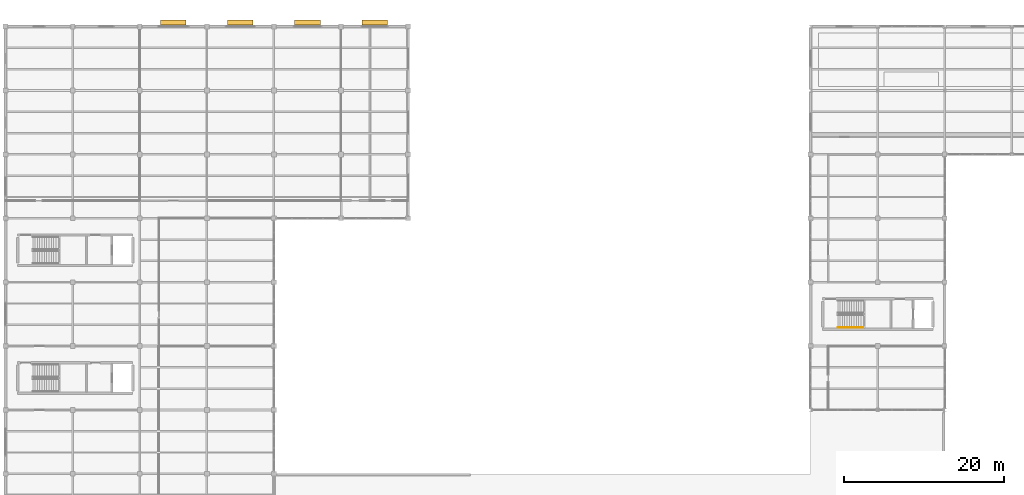
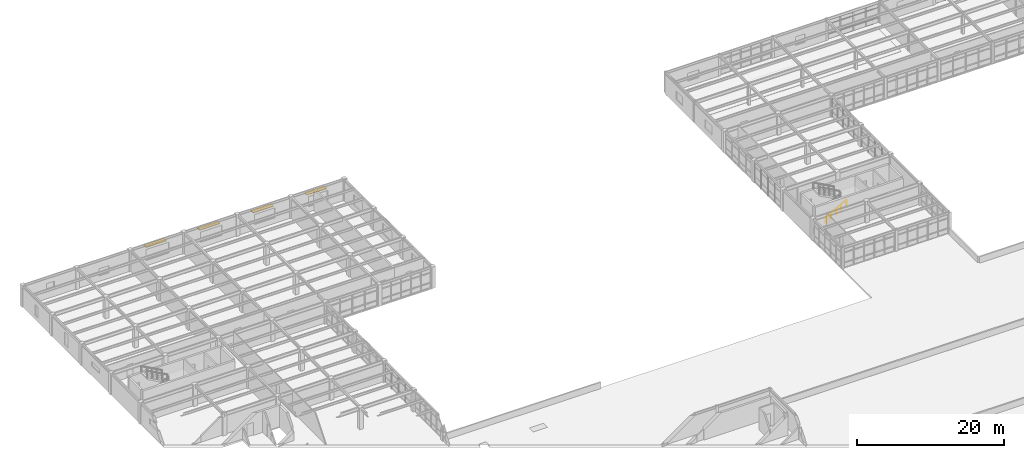
# One storey, part 92 of 96: 4 shading devices, 1 railing.
"""IFC4 building model written with IfcOpenShell, lengths in metres."""

from ifc_helpers import new_model, si_unit, direction, frame, origin, origin_2d, place, context, subcontext, project, spatial, rectangle, circle, extrude, material, type_object, element, save


model = new_model("IFC4")

# Units and contexts
model_context = context("Model", 3, precision=1e-05, world=origin(), true_north=direction((0.0, 1.0)))
body_context = subcontext(model_context, "Body", "Model", "MODEL_VIEW")
ifc_project = project(units=[si_unit("LENGTHUNIT", "METRE"), si_unit("AREAUNIT", "SQUARE_METRE"), si_unit("VOLUMEUNIT", "CUBIC_METRE"), si_unit("PLANEANGLEUNIT", "RADIAN"), si_unit("MASSUNIT", "GRAM", prefix="KILO")], contexts=[model_context])

# Site, building, storey
site_placement = place(None, origin())
site = spatial("IfcSite", under=ifc_project, at=site_placement, CompositionType="ELEMENT")
building_placement = place(site_placement, origin())
building = spatial("IfcBuilding", under=site, at=building_placement, Name="Kranzveld Transit Interchange", CompositionType="ELEMENT")
storey_placement = place(building_placement, frame((0.0, 0.0, 9.52001953125)))
storey = spatial("IfcBuildingStorey", under=building, at=storey_placement, Name="L02", CompositionType="ELEMENT", Elevation=9.52001953125)

# Shading devices
ifc_material_1 = material(Name="Bronze-anodised thermally broken aluminium", Category="aluminium")
shading_device_type = type_object("IfcShadingDeviceType", Name="North Overhang Solar Louvre Brise-Soleil", PredefinedType="JALOUSIE", material=ifc_material_1)
for number, where, z_axis, x_axis, name in (
    (1, (37.800048828125, 112.5048828125, 2.5498046875), (0.0, 0.0, 1.0), (1.0, 0.0, 0.0), "L02 North Solar Louvre 05/Q"),
    (2, (46.199951171875, 112.5048828125, 2.5498046875), (0.0, 0.0, 1.0), (1.0, 0.0, 0.0), "L02 North Solar Louvre 06/Q"),
    (3, (21.0, 112.5048828125, 2.699951171875), (0.0, 0.0, 1.0), (1.0, 0.0, 0.0), "L02 North Solar Louvre 03/Q"),
    (4, (29.39990234375, 112.5048828125, 2.599853515625), (0.0, 0.0, 1.0), (1.0, 0.0, 0.0), "L02 North Solar Louvre 04/Q"),
):
    element("IfcShadingDevice", number, at=place(storey_placement, frame(where, z_axis=z_axis, x_axis=x_axis)), inside=storey, type_object=shading_device_type, Name=name, PredefinedType="JALOUSIE", context=body_context, shape_type="SweptSolid", body=[
        extrude(rectangle(XDim=3.199951171875, YDim=0.64990234375, at=origin_2d()), origin(), (0.0, 0.0, 1.0), 0.1201171875),
    ])

# Railing
ifc_material_2 = material(Name="Steel S355JR", Category="steel")
railing_type = type_object("IfcRailingType", Name="Stair & Ramp Handrail Steel 900", PredefinedType="HANDRAIL", material=ifc_material_2)
railing_placement = place(storey_placement, frame((104.199951171875, 74.320068359375, 0.159912109375)))
element("IfcRailing", 5, at=railing_placement, inside=storey, type_object=railing_type, Name="L02 ST-V4A stair handrail 1", PredefinedType="HANDRAIL", context=body_context, shape_type="SweptSolid", body=[
    extrude(circle(Radius=0.02392578125, at=origin_2d()), frame((0.0, 0.0, 0.8759765625), z_axis=(0.875572797087, 0.0, 0.483086200383), x_axis=(0.0, 1.0, 0.0)), (0.0, 0.0, 1.0), 3.643310546875),
    extrude(circle(Radius=0.02099609375, at=origin_2d()), origin(), (0.0, 0.0, 1.0), 0.849853515625),
    extrude(circle(Radius=0.02099609375, at=origin_2d()), frame((0.79736328125, 0.0, 0.43994140625)), (0.0, 0.0, 1.0), 0.849853515625),
    extrude(circle(Radius=0.02099609375, at=origin_2d()), frame((1.594970703125, 0.0, 0.8798828125)), (0.0, 0.0, 1.0), 0.849853515625),
    extrude(circle(Radius=0.02099609375, at=origin_2d()), frame((2.392578125, 0.0, 1.320068359375)), (0.0, 0.0, 1.0), 0.849853515625),
    extrude(circle(Radius=0.02099609375, at=origin_2d()), frame((3.18994140625, 0.0, 1.760009765625)), (0.0, 0.0, 1.0), 0.849853515625),
])

save(model, "model.ifc")
